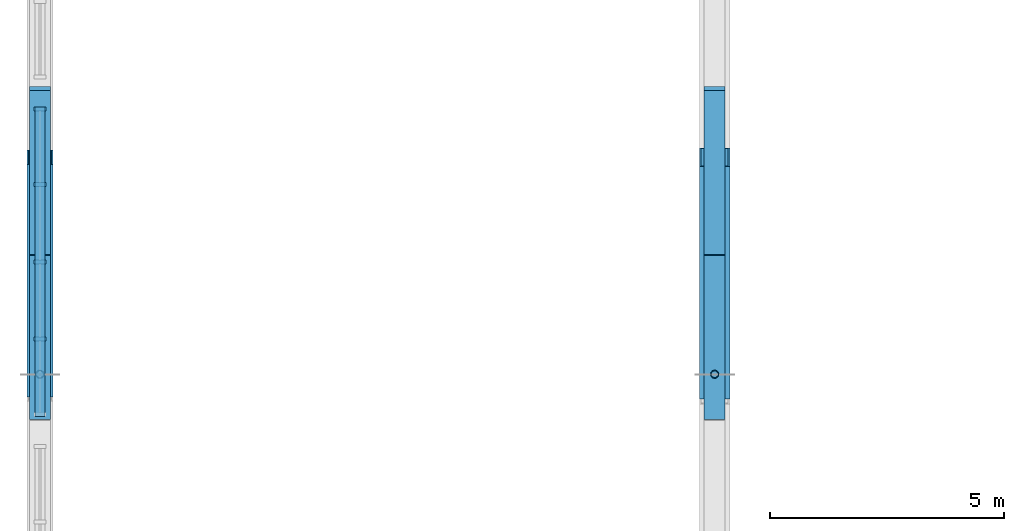
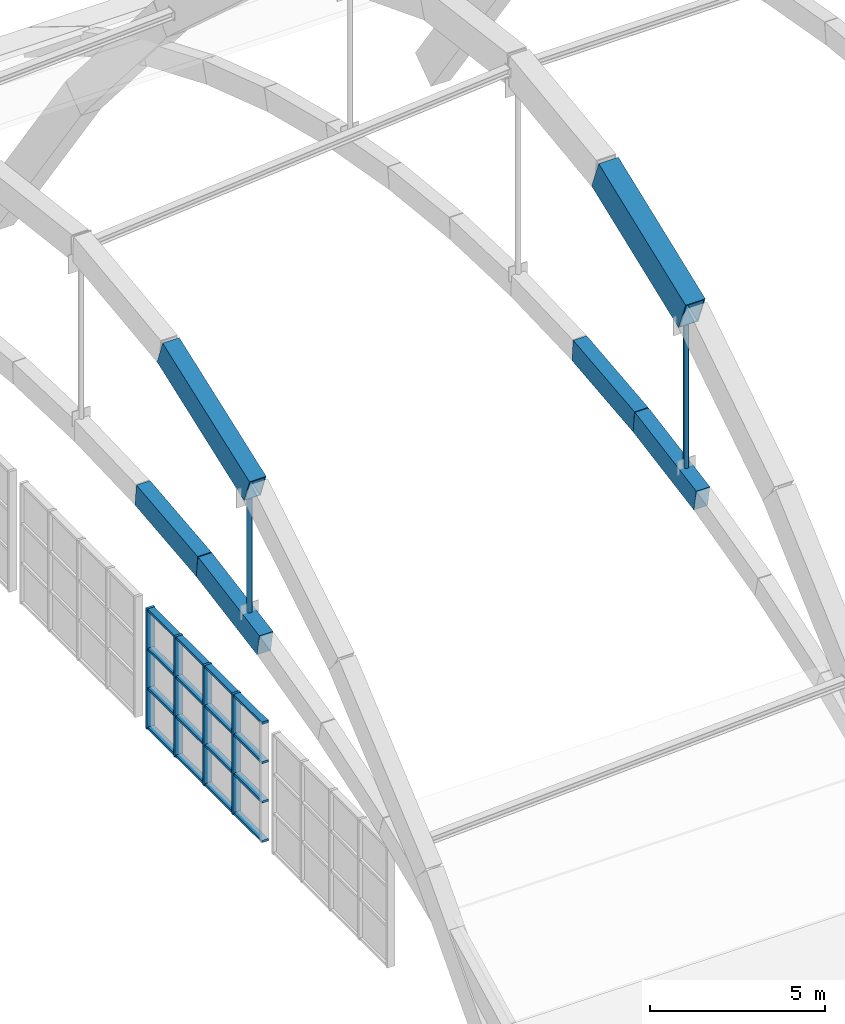
# One storey, part 4 of 64: 12 members, 4 beams, 1 element without a shape of its own.
"""IFC4 building model written with IfcOpenShell, lengths in metres."""

import ifcopenshell
import ifcopenshell.guid

model = None  # the IFC model being written
_history = None  # IfcOwnerHistory: only IFC2X3 demands one
_inside = {}  # id of a spatial element -> (the spatial element, [elements in it])
_under = {}  # id of a project, library or spatial element -> (it, [spatial elements below it])
_declared = {}  # id of a project -> (the project, [libraries it declares])
_typed = {}  # id of a type object -> (the type object, [elements of that type])
_made_of = {}  # id of a material, layer set ... -> (it, [elements and type objects made of it])


def new_model(schema):
    """Start an empty IFC model of exactly this schema.

    Asked for "IFC4X3", IfcOpenShell would pick the latest addendum, in which some entities
    have other attributes; the version numbers below select the first issue.
    IFC2X3 requires an IfcOwnerHistory on every rooted entity: one is made here for all.
    """
    global model, _history
    if schema == "IFC4X3":
        model = ifcopenshell.file(schema_version=(4, 3, 0, 0))
    else:
        model = ifcopenshell.file(schema=schema)
    _inside.clear()
    _under.clear()
    _declared.clear()
    _typed.clear()
    _made_of.clear()
    _history = None
    if model.schema == "IFC2X3":
        org = make("IfcOrganization", Name="unknown")
        user = make(
            "IfcPersonAndOrganization",
            ThePerson=make("IfcPerson", FamilyName="unknown"),
            TheOrganization=org,
        )
        app = make(
            "IfcApplication",
            ApplicationDeveloper=org,
            Version="unknown",
            ApplicationFullName="unknown",
            ApplicationIdentifier="unknown",
        )
        _history = make(
            "IfcOwnerHistory",
            OwningUser=user,
            OwningApplication=app,
            ChangeAction="ADDED",
            CreationDate=0,
        )
    return model


def make(cls, **values):
    """One entity of the class cls with the attributes given. An attribute that is None is left unset."""
    return model.create_entity(
        cls, **{name: value for name, value in values.items() if value is not None}
    )


def rooted(cls, **values):
    """An entity with a GlobalId (a new one), such as an element, a storey or a relation."""
    return make(cls, GlobalId=ifcopenshell.guid.new(), OwnerHistory=_history, **values)


def si_unit(unit_type, name, prefix=None):
    """IfcSIUnit, for example si_unit("LENGTHUNIT", "METRE", prefix="MILLI")."""
    return make("IfcSIUnit", UnitType=unit_type, Prefix=prefix, Name=name)


def assignment(units):
    """IfcUnitAssignment: the units of a project."""
    return None if units is None else make("IfcUnitAssignment", Units=units)


def point(xyz):
    """IfcCartesianPoint."""
    return None if xyz is None else make("IfcCartesianPoint", Coordinates=xyz)


def direction(xyz):
    """IfcDirection."""
    return None if xyz is None else make("IfcDirection", DirectionRatios=xyz)


def frame(location, z_axis=None, x_axis=None):
    """IfcAxis2Placement3D, a coordinate frame: its origin and axes. An axis left out is left unset."""
    return make(
        "IfcAxis2Placement3D",
        Location=point(location),
        Axis=direction(z_axis),
        RefDirection=direction(x_axis),
    )


def frame_2d(location, x_axis=None):
    """IfcAxis2Placement2D, a coordinate frame in the plane: its origin and x axis."""
    return make(
        "IfcAxis2Placement2D", Location=point(location), RefDirection=direction(x_axis)
    )


def origin():
    """The frame at (0, 0, 0) with its axes left unset."""
    return frame((0.0, 0.0, 0.0))


def origin_2d():
    """The frame at (0, 0) in the plane with its x axis left unset."""
    return frame_2d((0.0, 0.0))


def place(relative_to, where):
    """IfcLocalPlacement: puts the frame where relative to a parent placement (None: the world)."""
    return make(
        "IfcLocalPlacement", PlacementRelTo=relative_to, RelativePlacement=where
    )


def context(
    kind, dimensions, precision=None, world=None, true_north=None, identifier=None
):
    """IfcGeometricRepresentationContext, for example the 3D "Model" context."""
    return make(
        "IfcGeometricRepresentationContext",
        ContextIdentifier=identifier,
        ContextType=kind,
        CoordinateSpaceDimension=dimensions,
        Precision=precision,
        WorldCoordinateSystem=world,
        TrueNorth=true_north,
    )


def subcontext(parent, identifier, kind, view, scale=None):
    """IfcGeometricRepresentationSubContext, for example "Body" below "Model"."""
    return make(
        "IfcGeometricRepresentationSubContext",
        ContextIdentifier=identifier,
        ContextType=kind,
        ParentContext=parent,
        TargetScale=scale,
        TargetView=view,
    )


def project(units=None, contexts=None):
    """IfcProject with its units and contexts."""
    return rooted(
        "IfcProject",
        Name="project",
        RepresentationContexts=contexts,
        UnitsInContext=assignment(units),
    )


def spatial(cls, under=None, at=None, **own):
    """A site, building, storey or space (cls), placed at a placement, below another one or the project."""
    s = rooted(cls, ObjectPlacement=at, **own)
    if under is not None:
        _under.setdefault(under.id(), (under, []))[1].append(s)
    return s


def profile(cls, at=None, kind="AREA", **sizes):
    """A parametric profile (cls). Its sizes go by their IFC names, for example OverallWidth=200.0."""
    return make(cls, ProfileType=kind, Position=at, **sizes)


def rectangle(**sizes):
    """IfcRectangleProfileDef."""
    return profile("IfcRectangleProfileDef", **sizes)


def hollow_rectangle(**sizes):
    """IfcRectangleHollowProfileDef."""
    return profile("IfcRectangleHollowProfileDef", **sizes)


def hollow_circle(**sizes):
    """IfcCircleHollowProfileDef."""
    return profile("IfcCircleHollowProfileDef", **sizes)


def extrude(swept, where, along, depth):
    """IfcExtrudedAreaSolid: the profile swept, set in the frame where, extruded along a direction by depth."""
    return make(
        "IfcExtrudedAreaSolid",
        SweptArea=swept,
        Position=where,
        ExtrudedDirection=direction(along),
        Depth=depth,
    )


def shape(context_of_items, identifier, shape_type, items):
    """IfcShapeRepresentation: the items that make up one representation, for example the "Body"."""
    return make(
        "IfcShapeRepresentation",
        ContextOfItems=context_of_items,
        RepresentationIdentifier=identifier,
        RepresentationType=shape_type,
        Items=items,
    )


def material(Name=None, Category=None):
    """IfcMaterial."""
    return make("IfcMaterial", Name=Name, Category=Category)


def material_profile(
    of_material, cross_section, Name=None, Category=None, Priority=None
):
    """IfcMaterialProfile: a cross section and its material."""
    return make(
        "IfcMaterialProfile",
        Name=Name,
        Material=of_material,
        Profile=cross_section,
        Priority=Priority,
        Category=Category,
    )


def profile_set(profiles, Name=None, composite=None):
    """IfcMaterialProfileSet."""
    return make(
        "IfcMaterialProfileSet",
        Name=Name,
        MaterialProfiles=profiles,
        CompositeProfile=composite,
    )


def made_of(thing, what):
    """Note that an element or type object is made of a material, layer set ...; save() writes the relation."""
    if what is not None:
        _made_of.setdefault(what.id(), (what, []))[1].append(thing)
    return thing


def type_object(cls, material=None, **own):
    """A type object (cls), such as IfcWallType, which elements share."""
    return made_of(rooted(cls, **own), material)


def element(
    cls,
    number,
    at=None,
    inside=None,
    cuts=None,
    type_object=None,
    material=None,
    context=None,
    identifier="Body",
    shape_type=None,
    held_by="IfcProductDefinitionShape",
    body=None,
    shapes=None,
    **own,
):
    """One element of the class cls, such as IfcWall. Its Tag is "e" and its number.

    at: its placement. inside: the storey or other place that contains it. cuts: it is an
    opening in that element (IfcRelVoidsElement). A single representation is given by context,
    identifier, shape_type and body (its items); several are given by shapes. held_by: the class
    of the entity that holds the representations. save() writes the other relations.
    """
    e = rooted(cls, Tag="e%d" % number, ObjectPlacement=at, **own)
    if body is not None:
        shapes = [shape(context, identifier, shape_type, body)]
    if shapes is not None:
        e.Representation = make(held_by, Representations=shapes)
    if inside is not None:
        _inside.setdefault(inside.id(), (inside, []))[1].append(e)
    if cuts is not None:
        rooted(
            "IfcRelVoidsElement", RelatingBuildingElement=cuts, RelatedOpeningElement=e
        )
    if type_object is not None:
        _typed.setdefault(type_object.id(), (type_object, []))[1].append(e)
    return made_of(e, material)


def aggregate(whole, parts):
    """IfcRelAggregates: a whole, such as a stair, and the parts it consists of."""
    return rooted("IfcRelAggregates", RelatingObject=whole, RelatedObjects=parts)


def save(model, path):
    """Write the relations noted so far, then the file.

    IfcRelAggregates (storeys below a building ...), IfcRelContainedInSpatialStructure (elements
    in a storey), IfcRelDefinesByType, IfcRelAssociatesMaterial and IfcRelDeclares: one each for
    every whole, place, type object, material and project.
    """
    for whole, parts in _under.values():
        aggregate(whole, parts)
    for where, things in _inside.values():
        rooted(
            "IfcRelContainedInSpatialStructure",
            RelatedElements=things,
            RelatingStructure=where,
        )
    for kind, things in _typed.values():
        rooted("IfcRelDefinesByType", RelatedObjects=things, RelatingType=kind)
    for what, things in _made_of.values():
        rooted("IfcRelAssociatesMaterial", RelatedObjects=things, RelatingMaterial=what)
    for by, libraries in _declared.values():
        rooted("IfcRelDeclares", RelatingContext=by, RelatedDefinitions=libraries)
    model.write(path)


model = new_model("IFC4")

# Units and contexts
model_context = context("Model", 3, precision=1e-05, world=origin(), true_north=direction((0.0, 1.0)))
body_context = subcontext(model_context, "Body", "Model", "MODEL_VIEW")
ifc_project = project(units=[si_unit("LENGTHUNIT", "METRE"), si_unit("AREAUNIT", "SQUARE_METRE"), si_unit("VOLUMEUNIT", "CUBIC_METRE"), si_unit("PLANEANGLEUNIT", "RADIAN"), si_unit("MASSUNIT", "GRAM", prefix="KILO")], contexts=[model_context])

# Site, building, storey
site_placement = place(None, origin())
site = spatial("IfcSite", under=ifc_project, at=site_placement, CompositionType="ELEMENT")
building_placement = place(site_placement, origin())
building = spatial("IfcBuilding", under=site, at=building_placement, Name="Leyfeld Transit Interchange", CompositionType="ELEMENT")
storey_placement = place(building_placement, frame((0.0, 0.0, 9.60009765625)))
storey = spatial("IfcBuildingStorey", under=building, at=storey_placement, Name="L02", CompositionType="ELEMENT", Elevation=9.60009765625)

# Beams
ifc_material_1 = material(Name="Concrete C40/50", Category="concrete")
ifc_material_profile_1 = material_profile(ifc_material_1, rectangle(XDim=0.449951171875, YDim=0.75, at=origin_2d()), Name="RC 750x450 RIB")
ifc_profile_set_1 = profile_set([ifc_material_profile_1], Name="Concrete C40/50")
beam_type = type_object("IfcBeamType", Name="BM-RIB-750x450", PredefinedType="USERDEFINED", material=ifc_profile_set_1)
beam_1_placement = place(storey_placement, frame((0.0, 21.89990234375, 6.3251953125), z_axis=(0.0, 0.984546197367, 0.175125056033), x_axis=(-1.0, 0.0, 0.0)))
element("IfcBeam", 1, at=beam_1_placement, inside=storey, type_object=beam_type, Name="Concourse Vault Rib A1 Seg 6", ObjectType="ARCH_RIB", PredefinedType="USERDEFINED", context=body_context, shape_type="SweptSolid", body=[
    extrude(rectangle(XDim=0.449951171875, YDim=0.75, at=origin_2d()), origin(), (0.0, 0.0, 1.0), 3.554931640625),
])
beam_2_placement = place(storey_placement, frame((0.0, 25.39990234375, 6.94775390625), z_axis=(0.0, 0.99446241795, 0.105092812723), x_axis=(-1.0, 0.0, 0.0)))
element("IfcBeam", 2, at=beam_2_placement, inside=storey, type_object=beam_type, Name="Concourse Vault Rib A1 Seg 7", ObjectType="ARCH_RIB", PredefinedType="USERDEFINED", context=body_context, shape_type="SweptSolid", body=[
    extrude(rectangle(XDim=0.449951171875, YDim=0.75, at=origin_2d()), origin(), (0.0, 0.0, 1.0), 3.51953125),
])
beam_3_placement = place(storey_placement, frame((14.39990234375, 21.89990234375, 6.3251953125), z_axis=(0.0, 0.984546197367, 0.175125056033), x_axis=(-1.0, 0.0, 0.0)))
element("IfcBeam", 3, at=beam_3_placement, inside=storey, type_object=beam_type, Name="Concourse Vault Rib A2 Seg 6", ObjectType="ARCH_RIB", PredefinedType="USERDEFINED", context=body_context, shape_type="SweptSolid", body=[
    extrude(rectangle(XDim=0.449951171875, YDim=0.75, at=origin_2d()), origin(), (0.0, 0.0, 1.0), 3.554931640625),
])
beam_4_placement = place(storey_placement, frame((14.39990234375, 25.39990234375, 6.94775390625), z_axis=(0.0, 0.99446241795, 0.105092812723), x_axis=(-1.0, 0.0, 0.0)))
element("IfcBeam", 4, at=beam_4_placement, inside=storey, type_object=beam_type, Name="Concourse Vault Rib A2 Seg 7", ObjectType="ARCH_RIB", PredefinedType="USERDEFINED", context=body_context, shape_type="SweptSolid", body=[
    extrude(rectangle(XDim=0.449951171875, YDim=0.75, at=origin_2d()), origin(), (0.0, 0.0, 1.0), 3.51953125),
])

# Curtain wall, members
ifc_material_2 = material(Name="Anodised aluminium EN AW-6060 T66", Category="aluminium")
curtain_wall_type = type_object("IfcCurtainWallType", Name="CW-SYS-GAB-7200", PredefinedType="NOTDEFINED", material=ifc_material_2)
curtain_wall_placement = place(storey_placement, origin())
curtain_wall = element("IfcCurtainWall", 5, at=curtain_wall_placement, inside=storey, type_object=curtain_wall_type, Name="Curtain Wall CW-L02-GABW-02", PredefinedType="NOTDEFINED")
ifc_material_profile_2 = material_profile(ifc_material_2, rectangle(XDim=0.0849609375, YDim=0.260009765625, at=origin_2d()), Name="CW-M 85x260")
ifc_profile_set_2 = profile_set([ifc_material_profile_2], Name="Anodised aluminium EN AW-6060 T66")
member_type_1 = type_object("IfcMemberType", Name="CW-MUL-220x80", PredefinedType="MULLION", material=ifc_profile_set_2)
member_1_placement = place(storey_placement, frame((0.0, 23.550048828125, -0.60009765625), z_axis=(0.0, 0.0, 1.0), x_axis=(0.0, 1.0, 0.0)))
member_1 = element("IfcMember", 6, at=member_1_placement, type_object=member_type_1, Name="Curtain Mullion CW-L02-GABW-02-M02", PredefinedType="MULLION", context=body_context, shape_type="SweptSolid", body=[
    extrude(rectangle(XDim=0.0849609375, YDim=0.260009765625, at=origin_2d()), origin(), (0.0, 0.0, 1.0), 4.199951171875),
])
member_2_placement = place(storey_placement, frame((0.0, 25.199951171875, -0.60009765625), z_axis=(0.0, 0.0, 1.0), x_axis=(0.0, 1.0, 0.0)))
member_2 = element("IfcMember", 7, at=member_2_placement, type_object=member_type_1, Name="Curtain Mullion CW-L02-GABW-02-M03", PredefinedType="MULLION", context=body_context, shape_type="SweptSolid", body=[
    extrude(rectangle(XDim=0.0849609375, YDim=0.260009765625, at=origin_2d()), origin(), (0.0, 0.0, 1.0), 4.199951171875),
])
member_3_placement = place(storey_placement, frame((0.0, 26.85009765625, -0.60009765625), z_axis=(0.0, 0.0, 1.0), x_axis=(0.0, 1.0, 0.0)))
member_3 = element("IfcMember", 8, at=member_3_placement, type_object=member_type_1, Name="Curtain Mullion CW-L02-GABW-02-M04", PredefinedType="MULLION", context=body_context, shape_type="SweptSolid", body=[
    extrude(rectangle(XDim=0.0849609375, YDim=0.260009765625, at=origin_2d()), origin(), (0.0, 0.0, 1.0), 4.199951171875),
])
member_4_placement = place(storey_placement, frame((0.0, 28.45751953125, -0.60009765625), z_axis=(0.0, 0.0, 1.0), x_axis=(0.0, 1.0, 0.0)))
member_4 = element("IfcMember", 9, at=member_4_placement, type_object=member_type_1, Name="Curtain Mullion CW-L02-GABW-02-M05", PredefinedType="MULLION", context=body_context, shape_type="SweptSolid", body=[
    extrude(rectangle(XDim=0.0849609375, YDim=0.260009765625, at=origin_2d()), origin(), (0.0, 0.0, 1.0), 4.199951171875),
])
ifc_material_profile_3 = material_profile(ifc_material_2, rectangle(XDim=0.2099609375, YDim=0.0849609375, at=origin_2d()), Name="CW-TRN-200x80")
ifc_profile_set_3 = profile_set([ifc_material_profile_3], Name="Anodised aluminium EN AW-6060 T66")
member_type_2 = type_object("IfcMemberType", Name="CW-TRN-200x80", PredefinedType="USERDEFINED", material=ifc_profile_set_3)
member_5_placement = place(storey_placement, frame((0.0, 21.89990234375, -0.5576171875), z_axis=(0.0, 1.0, 0.0), x_axis=(-1.0, 0.0, 0.0)))
member_5 = element("IfcMember", 10, at=member_5_placement, type_object=member_type_2, Name="Curtain Transom CW-L02-GABW-02-T01", ObjectType="TRANSOM", PredefinedType="USERDEFINED", context=body_context, shape_type="SweptSolid", body=[
    extrude(rectangle(XDim=0.2099609375, YDim=0.0849609375, at=origin_2d()), origin(), (0.0, 0.0, 1.0), 6.60009765625),
])
member_6_placement = place(storey_placement, frame((0.0, 21.89990234375, 0.814208984375), z_axis=(0.0, 1.0, 0.0), x_axis=(-1.0, 0.0, 0.0)))
member_6 = element("IfcMember", 11, at=member_6_placement, type_object=member_type_2, Name="Curtain Transom CW-L02-GABW-02-T02", ObjectType="TRANSOM", PredefinedType="USERDEFINED", context=body_context, shape_type="SweptSolid", body=[
    extrude(rectangle(XDim=0.2099609375, YDim=0.0849609375, at=origin_2d()), origin(), (0.0, 0.0, 1.0), 6.60009765625),
])
member_7_placement = place(storey_placement, frame((0.0, 21.89990234375, 2.185791015625), z_axis=(0.0, 1.0, 0.0), x_axis=(-1.0, 0.0, 0.0)))
member_7 = element("IfcMember", 12, at=member_7_placement, type_object=member_type_2, Name="Curtain Transom CW-L02-GABW-02-T03", ObjectType="TRANSOM", PredefinedType="USERDEFINED", context=body_context, shape_type="SweptSolid", body=[
    extrude(rectangle(XDim=0.2099609375, YDim=0.0849609375, at=origin_2d()), origin(), (0.0, 0.0, 1.0), 6.60009765625),
])
member_8_placement = place(storey_placement, frame((0.0, 21.89990234375, 3.557373046875), z_axis=(0.0, 1.0, 0.0), x_axis=(-1.0, 0.0, 0.0)))
member_8 = element("IfcMember", 13, at=member_8_placement, type_object=member_type_2, Name="Curtain Transom CW-L02-GABW-02-T04", ObjectType="TRANSOM", PredefinedType="USERDEFINED", context=body_context, shape_type="SweptSolid", body=[
    extrude(rectangle(XDim=0.2099609375, YDim=0.0849609375, at=origin_2d()), origin(), (0.0, 0.0, 1.0), 6.60009765625),
])
aggregate(curtain_wall, [member_1, member_2, member_3, member_4, member_5, member_6, member_7, member_8])

# Members
ifc_material_3 = material(Name="Steel S355J2 - Ochre Arch", Category="steel")
ifc_material_profile_4 = material_profile(ifc_material_3, hollow_rectangle(XDim=0.64990234375, YDim=1.10009765625, WallThickness=0.035888671875, at=origin_2d()), Name="RHS 1100x650x36")
ifc_profile_set_4 = profile_set([ifc_material_profile_4], Name="Steel S355J2 - Ochre Arch")
member_type_3 = type_object("IfcMemberType", Name="MEM-ARCH-1100", PredefinedType="USERDEFINED", material=ifc_profile_set_4)
member_9_placement = place(storey_placement, frame((14.39990234375, 22.466796875, 12.433349609375), z_axis=(0.0, 0.932424670612, 0.361364405599), x_axis=(-1.0, 0.0, 0.0)))
element("IfcMember", 14, at=member_9_placement, inside=storey, type_object=member_type_3, Name="Primary Steel Arch AR-01 Seg 5", ObjectType="ARCH_SEGMENT", PredefinedType="USERDEFINED", context=body_context, shape_type="SweptSolid", body=[
    extrude(hollow_rectangle(XDim=0.64990234375, YDim=1.10009765625, WallThickness=0.035888671875, at=origin_2d()), origin(), (0.0, 0.0, 1.0), 5.326416015625),
])
ifc_material_profile_5 = material_profile(ifc_material_3, hollow_rectangle(XDim=0.550048828125, YDim=0.89990234375, WallThickness=0.031982421875, at=origin_2d()), Name="RHS 900x550x32")
ifc_profile_set_5 = profile_set([ifc_material_profile_5], Name="Steel S355J2 - Ochre Arch")
member_type_4 = type_object("IfcMemberType", Name="MEM-ARCH-900", PredefinedType="USERDEFINED", material=ifc_profile_set_5)
member_10_placement = place(storey_placement, frame((0.0, 22.466796875, 11.36669921875), z_axis=(0.0, 0.938638972775, 0.344901259475), x_axis=(-1.0, 0.0, 0.0)))
element("IfcMember", 15, at=member_10_placement, inside=storey, type_object=member_type_4, Name="Primary Steel Arch GP-W Seg 5", ObjectType="ARCH_SEGMENT", PredefinedType="USERDEFINED", context=body_context, shape_type="SweptSolid", body=[
    extrude(hollow_rectangle(XDim=0.550048828125, YDim=0.89990234375, WallThickness=0.031982421875, at=origin_2d()), origin(), (0.0, 0.0, 1.0), 5.291259765625),
])
ifc_material_4 = material(Name="Steel S355J2", Category="steel")
ifc_material_profile_6 = material_profile(ifc_material_4, hollow_circle(Radius=0.084228515625, WallThickness=0.008056640625, at=origin_2d()), Name="CHS 168.3x8")
ifc_profile_set_6 = profile_set([ifc_material_profile_6], Name="Steel S355J2")
member_type_5 = type_object("IfcMemberType", Name="MEM-HGR-168", PredefinedType="USERDEFINED", material=ifc_profile_set_6)
member_11_placement = place(storey_placement, frame((0.0, 22.800048828125, 6.885009765625), z_axis=(0.0, 0.0, 1.0), x_axis=(1.0, 0.0, 0.0)))
element("IfcMember", 16, at=member_11_placement, inside=storey, type_object=member_type_5, Name="Arch Tension Hanger GP-W H3", ObjectType="SUSPENDER", PredefinedType="USERDEFINED", context=body_context, shape_type="SweptSolid", body=[
    extrude(hollow_circle(Radius=0.084228515625, WallThickness=0.008056640625, at=origin_2d()), origin(), (0.0, 0.0, 1.0), 4.12451171875),
])
member_12_placement = place(storey_placement, frame((14.39990234375, 22.800048828125, 6.885009765625), z_axis=(0.0, 0.0, 1.0), x_axis=(1.0, 0.0, 0.0)))
element("IfcMember", 17, at=member_12_placement, inside=storey, type_object=member_type_5, Name="Arch Tension Hanger AR-01 H3", ObjectType="SUSPENDER", PredefinedType="USERDEFINED", context=body_context, shape_type="SweptSolid", body=[
    extrude(hollow_circle(Radius=0.084228515625, WallThickness=0.008056640625, at=origin_2d()), origin(), (0.0, 0.0, 1.0), 5.087646484375),
])

save(model, "model.ifc")
